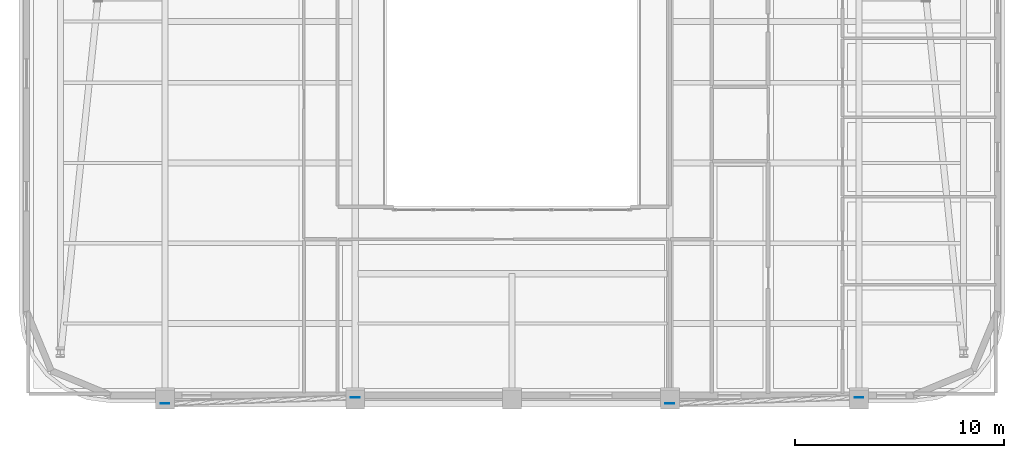
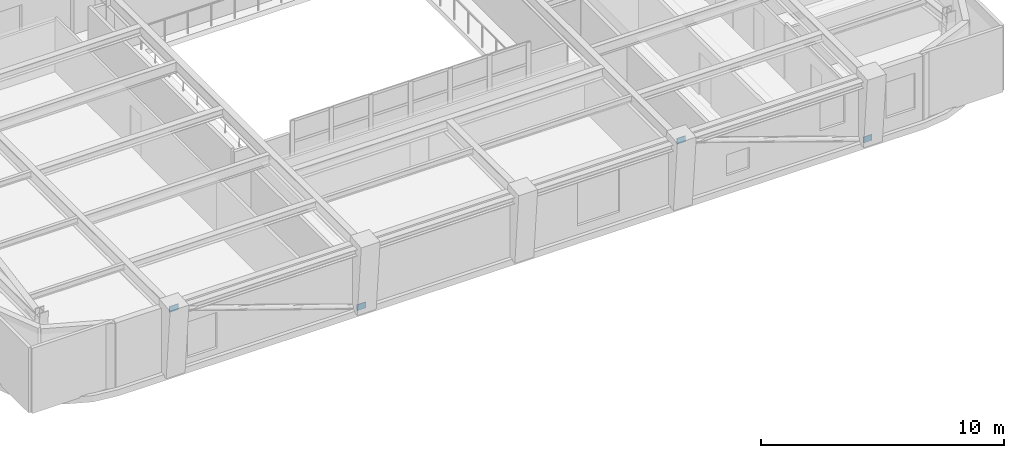
# One storey, part 5 of 13: 4 plates.
"""IFC4 building model written with IfcOpenShell, lengths in metres."""

from ifc_helpers import new_model, si_unit, direction, frame, origin, origin_2d, place, context, subcontext, project, spatial, rectangle, extrude, material, layer, layer_set, type_object, element, save


model = new_model("IFC4")

# Units and contexts
model_context = context("Model", 3, precision=1e-05, world=origin(), true_north=direction((0.0, 1.0)))
body_context = subcontext(model_context, "Body", "Model", "MODEL_VIEW")
ifc_project = project(units=[si_unit("LENGTHUNIT", "METRE"), si_unit("AREAUNIT", "SQUARE_METRE"), si_unit("VOLUMEUNIT", "CUBIC_METRE"), si_unit("PLANEANGLEUNIT", "RADIAN"), si_unit("MASSUNIT", "GRAM", prefix="KILO")], contexts=[model_context])

# Site, building, storey
site_placement = place(None, origin())
site = spatial("IfcSite", under=ifc_project, at=site_placement, CompositionType="ELEMENT")
building_placement = place(site_placement, origin())
building = spatial("IfcBuilding", under=site, at=building_placement, Name="Zarnavel Station Tower", CompositionType="ELEMENT")
storey_placement = place(building_placement, frame((0.0, 0.0, 240.0)))
storey = spatial("IfcBuildingStorey", under=building, at=storey_placement, Name="L65", CompositionType="ELEMENT", Elevation=240.0)

# Plates
ifc_material = material(Name="Steel S460M", Category="steel")
ifc_layer = layer(ifc_material, 0.02490234375)
ifc_layer_set = layer_set([ifc_layer], Name="GP_GUSSET_25")
plate_type = type_object("IfcPlateType", Name="GP_GUSSET_25", PredefinedType="USERDEFINED", material=ifc_layer_set)
for number, where, z_axis, x_axis, name in (
    (1, (21.300048828125, 4.479248046875, -0.14990234375), (0.0, 0.0, 1.0), (1.0, 0.0, 0.0), "L65 Exterior Diagonal Brace End Gusset 1-1"),
    (2, (12.199951171875, 4.181884765625, 3.1298828125), (0.0, 0.0, 1.0), (1.0, 0.0, 0.0), "L65 Exterior Diagonal Brace End Gusset 1-2"),
    (3, (45.39990234375, 4.479248046875, -0.14990234375), (0.0, 0.0, 1.0), (1.0, 0.0, 0.0), "L65 Exterior Diagonal Brace End Gusset 2-1"),
    (4, (36.35009765625, 4.181884765625, 3.1298828125), (0.0, 0.0, 1.0), (1.0, 0.0, 0.0), "L65 Exterior Diagonal Brace End Gusset 2-2"),
):
    element("IfcPlate", number, at=place(storey_placement, frame(where, z_axis=z_axis, x_axis=x_axis)), inside=storey, type_object=plate_type, Name=name, ObjectType="GUSSET_PLATE", PredefinedType="USERDEFINED", context=body_context, shape_type="SweptSolid", body=[
        extrude(rectangle(XDim=0.419921875, YDim=0.02490234375, at=origin_2d()), origin(), (0.0, 0.0, 1.0), 0.300048828125),
    ])

save(model, "model.ifc")
